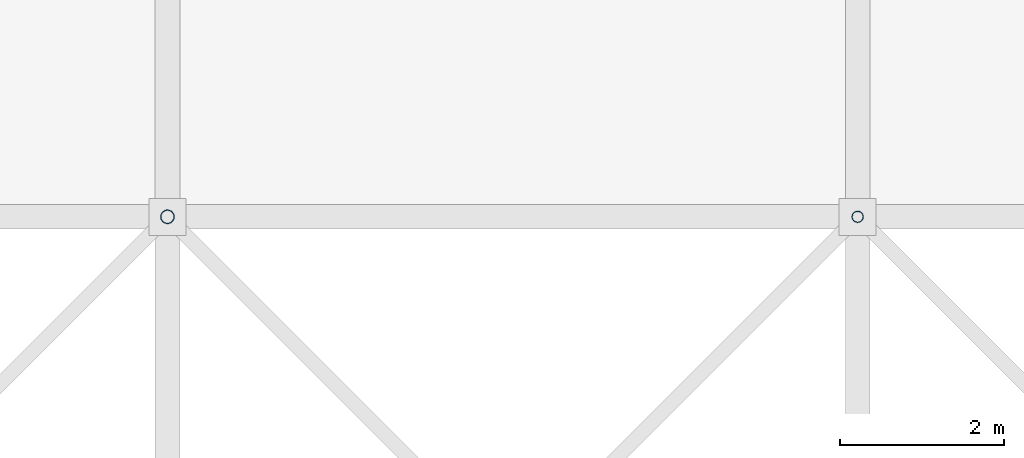
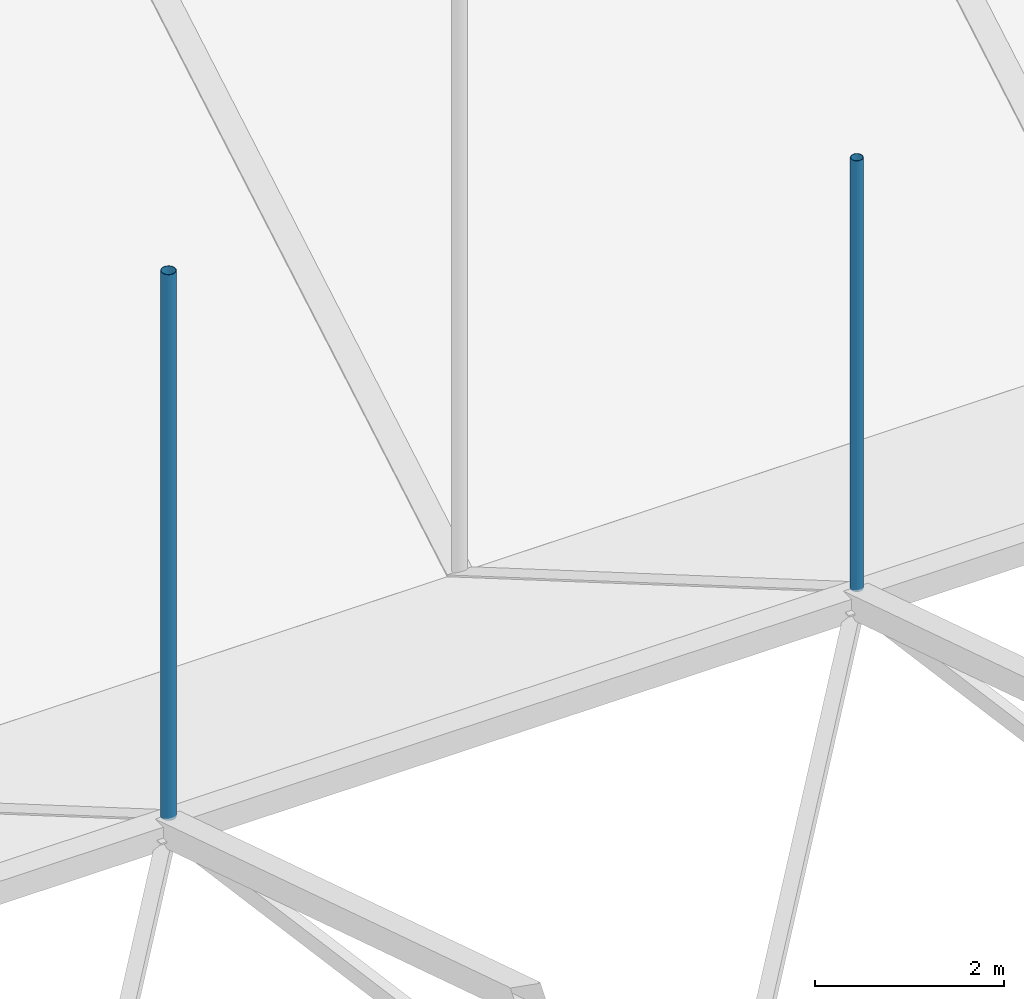
# One storey, part 79 of 111: 2 discrete accessories.
"""IFC4 building model written with IfcOpenShell, lengths in metres."""

from ifc_helpers import new_model, si_unit, direction, frame, origin, origin_2d, place, context, subcontext, project, spatial, hollow_circle, extrude, material, material_profile, profile_set, type_object, element, save


model = new_model("IFC4")

# Units and contexts
model_context = context("Model", 3, precision=1e-05, world=origin(), true_north=direction((0.0, 1.0)))
body_context = subcontext(model_context, "Body", "Model", "MODEL_VIEW")
ifc_project = project(units=[si_unit("LENGTHUNIT", "METRE"), si_unit("AREAUNIT", "SQUARE_METRE"), si_unit("VOLUMEUNIT", "CUBIC_METRE"), si_unit("PLANEANGLEUNIT", "RADIAN"), si_unit("MASSUNIT", "GRAM", prefix="KILO")], contexts=[model_context])

# Site, building, storey
site_placement = place(None, origin())
site = spatial("IfcSite", under=ifc_project, at=site_placement, CompositionType="ELEMENT")
building_placement = place(site_placement, origin())
building = spatial("IfcBuilding", under=site, at=building_placement, Name="Rain Tree Exposition and Congress Centre", CompositionType="ELEMENT")
storey_placement = place(building_placement, frame((0.0, 0.0, 19.5)))
storey = spatial("IfcBuildingStorey", under=building, at=storey_placement, Name="RF", CompositionType="ELEMENT", Elevation=19.5)

# Discrete accessories
ifc_material_1 = material(Name="Steel S355J2H", Category="steel")
ifc_material_profile_1 = material_profile(ifc_material_1, hollow_circle(Radius=0.06982421875, WallThickness=0.0048828125, at=origin_2d()), Name="CHS 140x5")
ifc_profile_set_1 = profile_set([ifc_material_profile_1], Name="Steel S355J2H")
discrete_accessory_type_1 = type_object("IfcDiscreteAccessoryType", Name="Roof skin post CHS 140x5", PredefinedType="BRACKET", material=ifc_profile_set_1)
discrete_accessory_1_placement = place(storey_placement, frame((201.60009765625, 142.800048828125, 5.39404296875), z_axis=(0.0, 0.0, 1.0), x_axis=(1.0, 0.0, 0.0)))
element("IfcDiscreteAccessory", 1, at=discrete_accessory_1_placement, inside=storey, type_object=discrete_accessory_type_1, Name="Roof skin post B73", PredefinedType="BRACKET", context=body_context, shape_type="SweptSolid", body=[
    extrude(hollow_circle(Radius=0.06982421875, WallThickness=0.0048828125, at=origin_2d()), origin(), (0.0, 0.0, 1.0), 5.560546875),
])
ifc_material_2 = material(Name="Steel S355J2H", Category="steel")
ifc_material_profile_2 = material_profile(ifc_material_2, hollow_circle(Radius=0.084228515625, WallThickness=0.006103515625, at=origin_2d()), Name="CHS 168x6")
ifc_profile_set_2 = profile_set([ifc_material_profile_2], Name="Steel S355J2H")
discrete_accessory_type_2 = type_object("IfcDiscreteAccessoryType", Name="Roof skin post CHS 168x6", PredefinedType="BRACKET", material=ifc_profile_set_2)
discrete_accessory_2_placement = place(storey_placement, frame((193.199951171875, 142.800048828125, 5.39404296875), z_axis=(0.0, 0.0, 1.0), x_axis=(1.0, 0.0, 0.0)))
element("IfcDiscreteAccessory", 2, at=discrete_accessory_2_placement, inside=storey, type_object=discrete_accessory_type_2, Name="Roof skin post B72", PredefinedType="BRACKET", context=body_context, shape_type="SweptSolid", body=[
    extrude(hollow_circle(Radius=0.084228515625, WallThickness=0.006103515625, at=origin_2d()), origin(), (0.0, 0.0, 1.0), 7.04296875),
])

save(model, "model.ifc")
